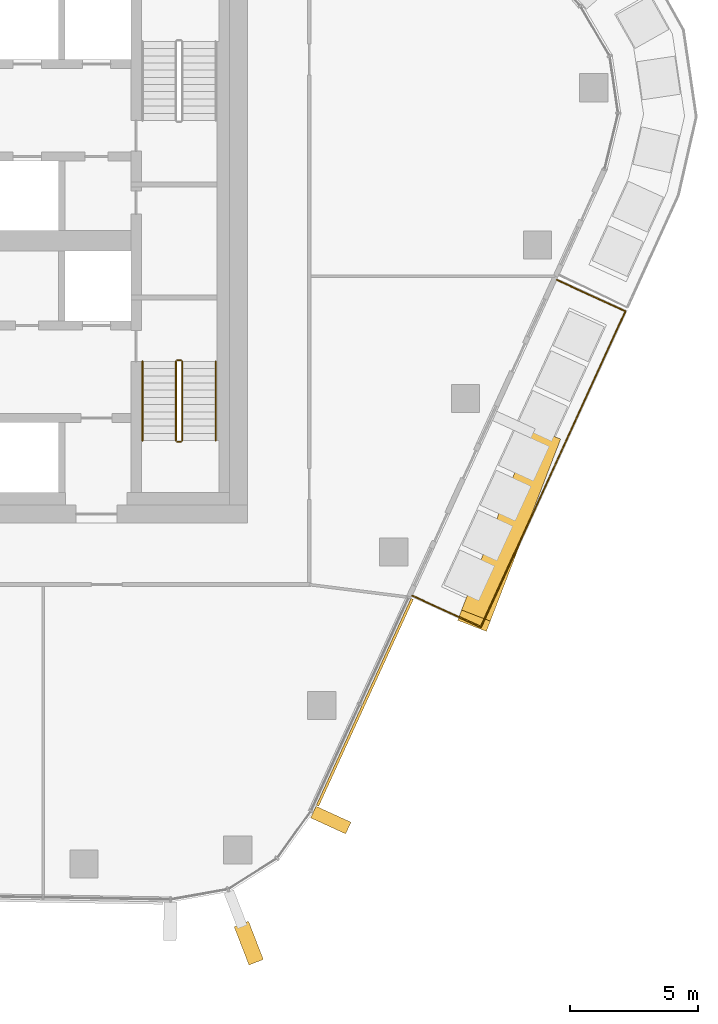
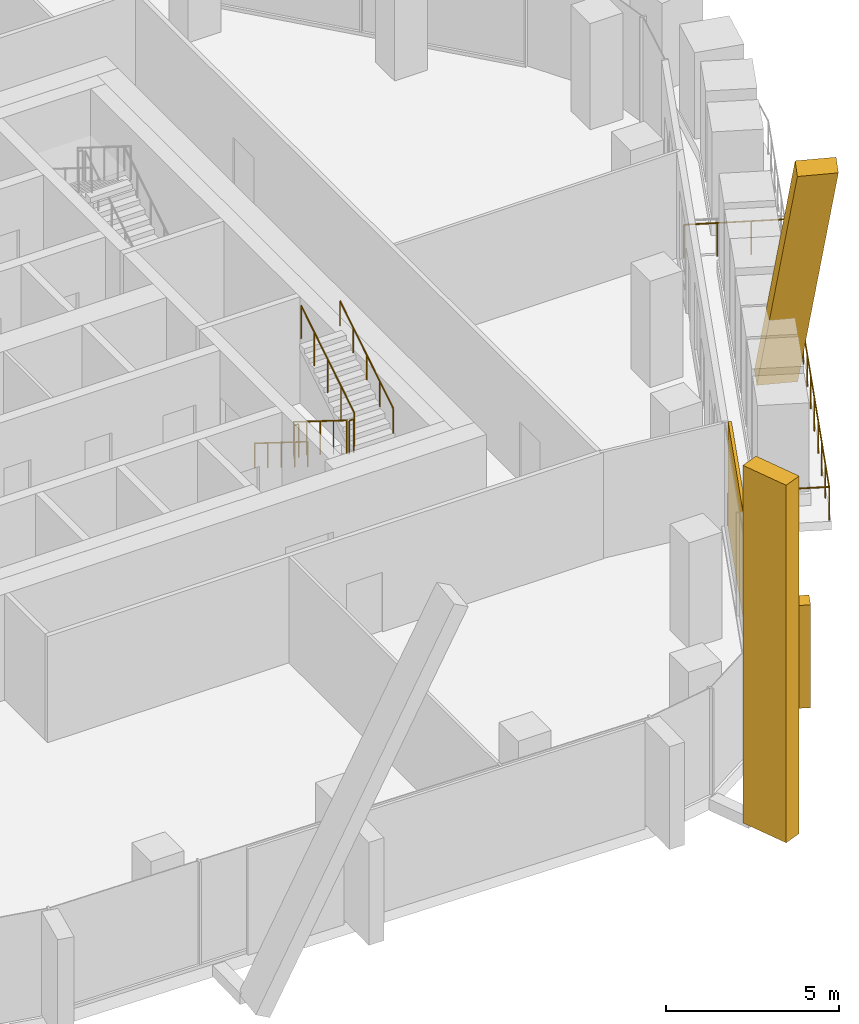
# One storey, part 16 of 20: 7 railings, 4 coverings, 2 elements without a shape of their own.
"""IFC4 building model written with IfcOpenShell, lengths in metres."""

from ifc_helpers import new_model, si_unit, direction, frame, origin, origin_2d, place, context, subcontext, project, spatial, rectangle, circle, extrude, material, layer, layer_set, material_profile, profile_set, type_object, element, aggregate, save


model = new_model("IFC4")

# Units and contexts
model_context = context("Model", 3, precision=1e-05, world=origin(), true_north=direction((0.0, 1.0)))
body_context = subcontext(model_context, "Body", "Model", "MODEL_VIEW")
ifc_project = project(units=[si_unit("LENGTHUNIT", "METRE"), si_unit("AREAUNIT", "SQUARE_METRE"), si_unit("VOLUMEUNIT", "CUBIC_METRE"), si_unit("PLANEANGLEUNIT", "RADIAN"), si_unit("MASSUNIT", "GRAM", prefix="KILO")], contexts=[model_context])

# Site, building, storey
site_placement = place(None, origin())
site = spatial("IfcSite", under=ifc_project, at=site_placement, CompositionType="ELEMENT")
building_placement = place(site_placement, origin())
building = spatial("IfcBuilding", under=site, at=building_placement, Name="Dongbaek Canopy Tower", CompositionType="ELEMENT")
storey_placement = place(building_placement, frame((0.0, 0.0, 228.60009765625)))
storey = spatial("IfcBuildingStorey", under=building, at=storey_placement, Name="L47", CompositionType="ELEMENT", Elevation=228.60009765625)

# Railing
ifc_material_1 = material(Name="Stainless steel", Category="steel")
railing_type_1 = type_object("IfcRailingType", Name="Balcony balustrade 1200", PredefinedType="BALUSTRADE", material=ifc_material_1)
railing_1_placement = place(storey_placement, frame((20.420166015625, -13.833740234375, 0.0)))
element("IfcRailing", 1, at=railing_1_placement, inside=storey, type_object=railing_type_1, Name="Balcony guard L47 2", PredefinedType="BALUSTRADE", context=body_context, shape_type="SweptSolid", body=[
    extrude(circle(Radius=0.02392578125, at=origin_2d()), frame((0.0, 0.0, 1.17578125), z_axis=(0.909339851733, -0.416054123944, 0.0), x_axis=(0.416054123944, 0.909339851733, 0.0)), (0.0, 0.0, 1.0), 2.93994140625),
    extrude(circle(Radius=0.02392578125, at=origin_2d()), frame((2.67333984375, -1.22314453125, 1.17578125), z_axis=(0.416110312837, 0.90931414129, 0.0), x_axis=(-0.90931414129, 0.416110312837, 0.0)), (0.0, 0.0, 1.0), 13.54443359375),
    extrude(circle(Radius=0.02392578125, at=origin_2d()), frame((8.309326171875, 11.093017578125, 1.17578125), z_axis=(-0.90930843153, 0.41612278999, 0.0), x_axis=(-0.41612278999, -0.90930843153, 0.0)), (0.0, 0.0, 1.0), 2.93994140625),
    extrude(circle(Radius=0.02099609375, at=origin_2d()), origin(), (0.0, 0.0, 1.0), 1.15185546875),
    extrude(circle(Radius=0.02099609375, at=origin_2d()), frame((0.89111328125, -0.40771484375, 0.0)), (0.0, 0.0, 1.0), 1.15185546875),
    extrude(circle(Radius=0.02099609375, at=origin_2d()), frame((1.7822265625, -0.8154296875, 0.0)), (0.0, 0.0, 1.0), 1.15185546875),
    extrude(circle(Radius=0.02099609375, at=origin_2d()), frame((2.67333984375, -1.22314453125, 0.0)), (0.0, 0.0, 1.0), 1.15185546875),
    extrude(circle(Radius=0.02099609375, at=origin_2d()), frame((3.14306640625, -0.19677734375, 0.0)), (0.0, 0.0, 1.0), 1.15185546875),
    extrude(circle(Radius=0.02099609375, at=origin_2d()), frame((3.61279296875, 0.82958984375, 0.0)), (0.0, 0.0, 1.0), 1.15185546875),
    extrude(circle(Radius=0.02099609375, at=origin_2d()), frame((4.082275390625, 1.85595703125, 0.0)), (0.0, 0.0, 1.0), 1.15185546875),
    extrude(circle(Radius=0.02099609375, at=origin_2d()), frame((4.552001953125, 2.88232421875, 0.0)), (0.0, 0.0, 1.0), 1.15185546875),
    extrude(circle(Radius=0.02099609375, at=origin_2d()), frame((5.021728515625, 3.90869140625, 0.0)), (0.0, 0.0, 1.0), 1.15185546875),
    extrude(circle(Radius=0.02099609375, at=origin_2d()), frame((5.4912109375, 4.93505859375, 0.0)), (0.0, 0.0, 1.0), 1.15185546875),
    extrude(circle(Radius=0.02099609375, at=origin_2d()), frame((5.9609375, 5.961181640625, 0.0)), (0.0, 0.0, 1.0), 1.15185546875),
    extrude(circle(Radius=0.02099609375, at=origin_2d()), frame((6.4306640625, 6.987548828125, 0.0)), (0.0, 0.0, 1.0), 1.15185546875),
    extrude(circle(Radius=0.02099609375, at=origin_2d()), frame((6.900390625, 8.013916015625, 0.0)), (0.0, 0.0, 1.0), 1.15185546875),
    extrude(circle(Radius=0.02099609375, at=origin_2d()), frame((7.3701171875, 9.040283203125, 0.0)), (0.0, 0.0, 1.0), 1.15185546875),
    extrude(circle(Radius=0.02099609375, at=origin_2d()), frame((7.839599609375, 10.066650390625, 0.0)), (0.0, 0.0, 1.0), 1.15185546875),
    extrude(circle(Radius=0.02099609375, at=origin_2d()), frame((8.309326171875, 11.093017578125, 0.0)), (0.0, 0.0, 1.0), 1.15185546875),
    extrude(circle(Radius=0.02099609375, at=origin_2d()), frame((7.418212890625, 11.500732421875, 0.0)), (0.0, 0.0, 1.0), 1.15185546875),
    extrude(circle(Radius=0.02099609375, at=origin_2d()), frame((6.527099609375, 11.90869140625, 0.0)), (0.0, 0.0, 1.0), 1.15185546875),
    extrude(circle(Radius=0.02099609375, at=origin_2d()), frame((5.635986328125, 12.31640625, 0.0)), (0.0, 0.0, 1.0), 1.15185546875),
])

# Curtain wall, covering
ifc_material_2 = material(Name="Aluminium 6063-T6 pale anodised", Category="aluminium")
ifc_layer_1 = layer(ifc_material_2, 0.199951171875)
ifc_layer_set_1 = layer_set([ifc_layer_1], Name="CW-1 unitised tower curtain wall")
curtain_wall_type = type_object("IfcCurtainWallType", Name="CW-1 unitised tower curtain wall", PredefinedType="NOTDEFINED", material=ifc_layer_set_1)
curtain_wall_1_placement = place(storey_placement, origin())
curtain_wall_1 = element("IfcCurtainWall", 2, at=curtain_wall_1_placement, inside=storey, type_object=curtain_wall_type, Name="CW-1 curtain wall K5.1", PredefinedType="NOTDEFINED")
ifc_material_3 = material(Name="Aluminium 6063-T6 pale metal fin", Category="aluminium")
ifc_material_profile_1 = material_profile(ifc_material_3, rectangle(XDim=1.60009765625, YDim=0.60009765625, at=origin_2d()), Name="Corner fin CN1 600 x 1600 pale metal")
ifc_profile_set_1 = profile_set([ifc_material_profile_1], Name="Aluminium 6063-T6 pale metal fin")
covering_type_1 = type_object("IfcCoveringType", Name="Corner fin CN1 600 x 1600 pale metal", PredefinedType="CLADDING", material=ifc_profile_set_1)
covering_1_placement = place(storey_placement, frame((14.04150390625, -27.3818359375, -0.22509765625), z_axis=(0.0, 0.0, 1.0), x_axis=(0.360882446959, -0.932611312111, 0.0)))
covering_1 = element("IfcCovering", 3, at=covering_1_placement, type_object=covering_type_1, Name="Corner fin L47 L49 K5", PredefinedType="CLADDING", context=body_context, shape_type="SweptSolid", body=[
    extrude(rectangle(XDim=1.60009765625, YDim=0.60009765625, at=origin_2d()), origin(), (0.0, 0.0, 1.0), 12.614990234375),
])
aggregate(curtain_wall_1, [covering_1])

# Curtain wall, coverings
curtain_wall_2_placement = place(storey_placement, origin())
curtain_wall_2 = element("IfcCurtainWall", 4, at=curtain_wall_2_placement, inside=storey, type_object=curtain_wall_type, Name="CW-1 curtain wall F5.1", PredefinedType="NOTDEFINED")
ifc_material_4 = material(Name="Aluminium 6063-T6 pale metal fin", Category="aluminium")
ifc_material_profile_2 = material_profile(ifc_material_4, rectangle(XDim=1.199951171875, YDim=0.5, at=origin_2d()), Name="Crease fin CF1 500 x 1200 pale metal")
ifc_profile_set_2 = profile_set([ifc_material_profile_2], Name="Aluminium 6063-T6 pale metal fin")
covering_type_2 = type_object("IfcCoveringType", Name="Crease fin CF1 500 x 1200 pale metal", PredefinedType="CLADDING", material=ifc_profile_set_2)
covering_2_placement = place(storey_placement, frame((25.56787109375, -7.706298828125, -0.22509765625), z_axis=(-0.185933425484, -0.481384518445, 0.856561560361), x_axis=(0.932834642051, -0.360304774585, 0.0)))
covering_2 = element("IfcCovering", 5, at=covering_2_placement, type_object=covering_type_2, Name="Crease fin L47 L50 F5", PredefinedType="CLADDING", context=body_context, shape_type="SweptSolid", body=[
    extrude(rectangle(XDim=1.199951171875, YDim=0.5, at=origin_2d()), origin(), (0.0, 0.0, 1.0), 14.750732421875),
])
ifc_material_5 = material(Name="Perforated aluminium 6063-T6 pale metal screen", Category="aluminium")
ifc_layer_2 = layer(ifc_material_5, 0.10009765625)
ifc_layer_set_2 = layer_set([ifc_layer_2], Name="Facet screen FS1 100 pale metal")
covering_type_3 = type_object("IfcCoveringType", Name="Facet screen FS1 100 pale metal", PredefinedType="CLADDING", material=ifc_layer_set_2)
covering_3_placement = place(storey_placement, frame((18.5693359375, -17.988525390625, 0.0), z_axis=(0.0, 0.0, 1.0), x_axis=(0.416112572001, 0.909313107473, 0.0)))
covering_3 = element("IfcCovering", 6, at=covering_3_placement, type_object=covering_type_3, Name="Facet screen L47 F5", PredefinedType="CLADDING", context=body_context, shape_type="SweptSolid", body=[
    extrude(rectangle(XDim=8.876708984375, YDim=0.10009765625, at=origin_2d()), origin(), (0.0, 0.0, 1.0), 3.75),
])
ifc_material_6 = material(Name="Aluminium 6063-T6 pale metal fin", Category="aluminium")
ifc_material_profile_3 = material_profile(ifc_material_6, rectangle(XDim=1.5, YDim=0.5, at=origin_2d()), Name="Fin FN1 500 x 1500 pale metal")
ifc_profile_set_3 = profile_set([ifc_material_profile_3], Name="Aluminium 6063-T6 pale metal fin")
covering_type_4 = type_object("IfcCoveringType", Name="Fin FN1 500 x 1500 pale metal", PredefinedType="CLADDING", material=ifc_profile_set_3)
covering_4_placement = place(storey_placement, frame((17.241943359375, -22.5810546875, 0.119873046875), z_axis=(0.0, 0.0, 1.0), x_axis=(0.909313119282, -0.416112546196, 0.0)))
covering_4 = element("IfcCovering", 7, at=covering_4_placement, type_object=covering_type_4, Name="Fin F5.1.1", PredefinedType="CLADDING", context=body_context, shape_type="SweptSolid", body=[
    extrude(rectangle(XDim=1.5, YDim=0.5, at=origin_2d()), origin(), (0.0, 0.0, 1.0), 3.630126953125),
])
aggregate(curtain_wall_2, [covering_4, covering_2, covering_3])

# Railings
ifc_material_7 = material(Name="Stainless steel tube and balusters", Category="steel")
railing_type_2 = type_object("IfcRailingType", Name="Stair guard 1200", PredefinedType="GUARDRAIL", material=ifc_material_7)
railing_2_placement = place(storey_placement, frame((11.199951171875, -4.699951171875, 0.1748046875)))
element("IfcRailing", 8, at=railing_2_placement, inside=storey, type_object=railing_type_2, Name="L47 ST-B stair guard 1", PredefinedType="GUARDRAIL", context=body_context, shape_type="SweptSolid", body=[
    extrude(circle(Radius=0.02392578125, at=origin_2d()), frame((0.0, 0.0, 1.17578125), z_axis=(0.0, -0.847998304005, 0.529998940003), x_axis=(1.0, 0.0, 0.0)), (0.0, 0.0, 1.0), 3.632080078125),
    extrude(circle(Radius=0.02099609375, at=origin_2d()), origin(), (0.0, 0.0, 1.0), 1.15185546875),
    extrude(circle(Radius=0.02099609375, at=origin_2d()), frame((0.0, -0.77001953125, 0.481201171875)), (0.0, 0.0, 1.0), 1.15185546875),
    extrude(circle(Radius=0.02099609375, at=origin_2d()), frame((0.0, -1.5400390625, 0.96240234375)), (0.0, 0.0, 1.0), 1.15185546875),
    extrude(circle(Radius=0.02099609375, at=origin_2d()), frame((0.0, -2.31005859375, 1.44384765625)), (0.0, 0.0, 1.0), 1.15185546875),
    extrude(circle(Radius=0.02099609375, at=origin_2d()), frame((0.0, -3.080078125, 1.925048828125)), (0.0, 0.0, 1.0), 1.15185546875),
])
railing_3_placement = place(storey_placement, frame((11.25, -7.830078125, 2.099853515625)))
element("IfcRailing", 9, at=railing_3_placement, inside=storey, type_object=railing_type_2, Name="L47 ST-B stair guard 2", PredefinedType="GUARDRAIL", context=body_context, shape_type="SweptSolid", body=[
    extrude(circle(Radius=0.02392578125, at=origin_2d()), frame((0.0, 0.0, 1.17578125), z_axis=(1.0, 0.0, 0.0), x_axis=(0.0, 1.0, 0.0)), (0.0, 0.0, 1.0), 0.14990234375),
    extrude(circle(Radius=0.02099609375, at=origin_2d()), origin(), (0.0, 0.0, 1.0), 1.15185546875),
    extrude(circle(Radius=0.02099609375, at=origin_2d()), frame((0.14990234375, 0.0, 0.0)), (0.0, 0.0, 1.0), 1.15185546875),
])
railing_4_placement = place(storey_placement, frame((11.449951171875, -7.780029296875, 2.27490234375)))
element("IfcRailing", 10, at=railing_4_placement, inside=storey, type_object=railing_type_2, Name="L47 ST-B stair guard 3", PredefinedType="GUARDRAIL", context=body_context, shape_type="SweptSolid", body=[
    extrude(circle(Radius=0.02392578125, at=origin_2d()), frame((0.0, 0.0, 1.17578125), z_axis=(0.0, 0.847998304005, 0.529998940003), x_axis=(-1.0, 0.0, 0.0)), (0.0, 0.0, 1.0), 3.632080078125),
    extrude(circle(Radius=0.02099609375, at=origin_2d()), origin(), (0.0, 0.0, 1.0), 1.15185546875),
    extrude(circle(Radius=0.02099609375, at=origin_2d()), frame((0.0, 0.77001953125, 0.481201171875)), (0.0, 0.0, 1.0), 1.15185546875),
    extrude(circle(Radius=0.02099609375, at=origin_2d()), frame((0.0, 1.5400390625, 0.96240234375)), (0.0, 0.0, 1.0), 1.15185546875),
    extrude(circle(Radius=0.02099609375, at=origin_2d()), frame((0.0, 2.31005859375, 1.44384765625)), (0.0, 0.0, 1.0), 1.15185546875),
    extrude(circle(Radius=0.02099609375, at=origin_2d()), frame((0.0, 3.080078125, 1.925048828125)), (0.0, 0.0, 1.0), 1.15185546875),
])
railing_5_placement = place(storey_placement, frame((11.25, -4.64990234375, 0.0)))
element("IfcRailing", 11, at=railing_5_placement, inside=storey, type_object=railing_type_2, Name="L47 ST-B stair guard 4", PredefinedType="GUARDRAIL", context=body_context, shape_type="SweptSolid", body=[
    extrude(circle(Radius=0.02392578125, at=origin_2d()), frame((0.0, 0.0, 1.17578125), z_axis=(1.0, 0.0, 0.0), x_axis=(0.0, 1.0, 0.0)), (0.0, 0.0, 1.0), 0.14990234375),
    extrude(circle(Radius=0.02099609375, at=origin_2d()), origin(), (0.0, 0.0, 1.0), 1.15185546875),
    extrude(circle(Radius=0.02099609375, at=origin_2d()), frame((0.14990234375, 0.0, 0.0)), (0.0, 0.0, 1.0), 1.15185546875),
])
ifc_material_8 = material(Name="Stainless steel tube", Category="steel")
railing_type_3 = type_object("IfcRailingType", Name="Stair handrail 900", PredefinedType="HANDRAIL", material=ifc_material_8)
railing_6_placement = place(storey_placement, frame((9.89990234375, -4.699951171875, 0.1748046875)))
element("IfcRailing", 12, at=railing_6_placement, inside=storey, type_object=railing_type_3, Name="L47 ST-B stair handrail 1", PredefinedType="HANDRAIL", context=body_context, shape_type="SweptSolid", body=[
    extrude(circle(Radius=0.02392578125, at=origin_2d()), frame((0.0, 0.0, 0.8759765625), z_axis=(0.0, -0.847998304005, 0.529998940003), x_axis=(1.0, 0.0, 0.0)), (0.0, 0.0, 1.0), 3.632080078125),
    extrude(circle(Radius=0.02099609375, at=origin_2d()), origin(), (0.0, 0.0, 1.0), 0.851806640625),
    extrude(circle(Radius=0.02099609375, at=origin_2d()), frame((0.0, -0.77001953125, 0.481201171875)), (0.0, 0.0, 1.0), 0.851806640625),
    extrude(circle(Radius=0.02099609375, at=origin_2d()), frame((0.0, -1.5400390625, 0.96240234375)), (0.0, 0.0, 1.0), 0.851806640625),
    extrude(circle(Radius=0.02099609375, at=origin_2d()), frame((0.0, -2.31005859375, 1.44384765625)), (0.0, 0.0, 1.0), 0.851806640625),
    extrude(circle(Radius=0.02099609375, at=origin_2d()), frame((0.0, -3.080078125, 1.925048828125)), (0.0, 0.0, 1.0), 0.851806640625),
])
railing_7_placement = place(storey_placement, frame((12.75, -7.780029296875, 2.27490234375)))
element("IfcRailing", 13, at=railing_7_placement, inside=storey, type_object=railing_type_3, Name="L47 ST-B stair handrail 2", PredefinedType="HANDRAIL", context=body_context, shape_type="SweptSolid", body=[
    extrude(circle(Radius=0.02392578125, at=origin_2d()), frame((0.0, 0.0, 0.8759765625), z_axis=(0.0, 0.847998304005, 0.529998940003), x_axis=(-1.0, 0.0, 0.0)), (0.0, 0.0, 1.0), 3.632080078125),
    extrude(circle(Radius=0.02099609375, at=origin_2d()), origin(), (0.0, 0.0, 1.0), 0.851806640625),
    extrude(circle(Radius=0.02099609375, at=origin_2d()), frame((0.0, 0.77001953125, 0.481201171875)), (0.0, 0.0, 1.0), 0.851806640625),
    extrude(circle(Radius=0.02099609375, at=origin_2d()), frame((0.0, 1.5400390625, 0.96240234375)), (0.0, 0.0, 1.0), 0.851806640625),
    extrude(circle(Radius=0.02099609375, at=origin_2d()), frame((0.0, 2.31005859375, 1.44384765625)), (0.0, 0.0, 1.0), 0.851806640625),
    extrude(circle(Radius=0.02099609375, at=origin_2d()), frame((0.0, 3.080078125, 1.925048828125)), (0.0, 0.0, 1.0), 0.851806640625),
])

save(model, "model.ifc")
